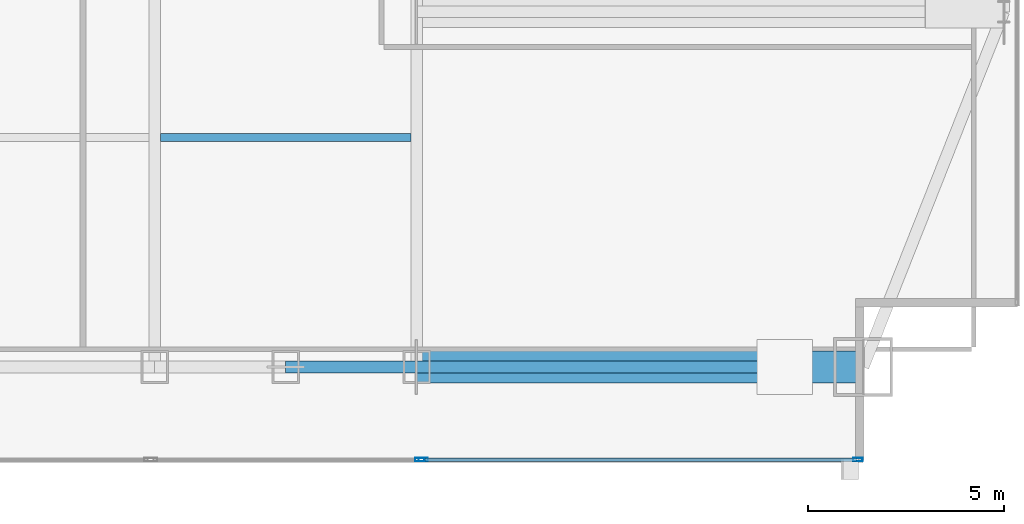
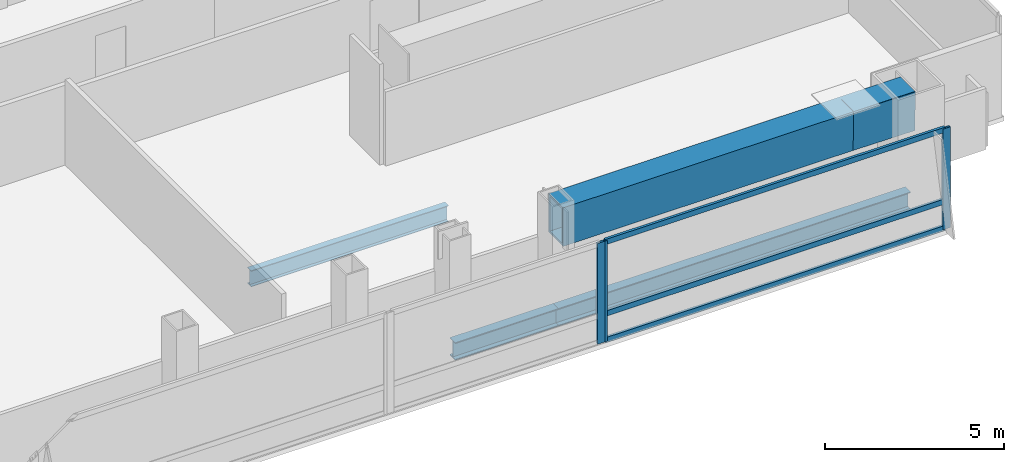
# One storey, part 14 of 30: 6 members, 5 beams, 2 elements without a shape of their own.
"""IFC4 building model written with IfcOpenShell, lengths in metres."""

from ifc_helpers import new_model, si_unit, direction, frame, origin, origin_2d, place, context, subcontext, project, spatial, hollow_rectangle, i_section, extrude, material, material_profile, profile_set, type_object, element, aggregate, save


model = new_model("IFC4")

# Units and contexts
model_context = context("Model", 3, precision=1e-05, world=origin(), true_north=direction((0.0, 1.0)))
body_context = subcontext(model_context, "Body", "Model", "MODEL_VIEW")
ifc_project = project(units=[si_unit("LENGTHUNIT", "METRE"), si_unit("AREAUNIT", "SQUARE_METRE"), si_unit("VOLUMEUNIT", "CUBIC_METRE"), si_unit("PLANEANGLEUNIT", "RADIAN"), si_unit("MASSUNIT", "GRAM", prefix="KILO")], contexts=[model_context])

# Site, building, storey
site_placement = place(None, origin())
site = spatial("IfcSite", under=ifc_project, at=site_placement, CompositionType="ELEMENT")
building_placement = place(site_placement, origin())
building = spatial("IfcBuilding", under=site, at=building_placement, Name="Khoronbel Lancet Exchange", CompositionType="ELEMENT")
storey_placement = place(building_placement, frame((0.0, 0.0, 132.60009765625)))
storey = spatial("IfcBuildingStorey", under=building, at=storey_placement, Name="L32", CompositionType="ELEMENT", Elevation=132.60009765625)

# Beams
ifc_material_1 = material(Name="Steel S355", Category="steel")
ifc_material_profile_1 = material_profile(ifc_material_1, i_section(OverallWidth=0.2099609375, OverallDepth=0.550048828125, WebThickness=0.010986328125, FlangeThickness=0.01708984375, at=origin_2d()), Name="IPE 550")
ifc_profile_set_1 = profile_set([ifc_material_profile_1], Name="Steel S355")
beam_type_1 = type_object("IfcBeamType", Name="BM-BJ2", PredefinedType="JOIST", material=ifc_profile_set_1)
beam_1_placement = place(storey_placement, frame((48.14990234375, 16.0, -0.43505859375), z_axis=(1.0, 0.0, 0.0), x_axis=(0.0, 1.0, 0.0)))
element("IfcBeam", 1, at=beam_1_placement, inside=storey, type_object=beam_type_1, Name="Level L32 secondary composite joist J05", PredefinedType="JOIST", context=body_context, shape_type="SweptSolid", body=[
    extrude(i_section(OverallWidth=0.2099609375, OverallDepth=0.550048828125, WebThickness=0.010986328125, FlangeThickness=0.01708984375, at=origin_2d()), origin(), (0.0, 0.0, 1.0), 6.375),
])
ifc_material_profile_2 = material_profile(ifc_material_1, i_section(OverallWidth=0.300048828125, OverallDepth=0.60009765625, WebThickness=0.015380859375, FlangeThickness=0.030029296875, at=origin_2d()), Name="HEB 600")
ifc_profile_set_2 = profile_set([ifc_material_profile_2], Name="Steel S355")
beam_type_2 = type_object("IfcBeamType", Name="BM-BSP2", PredefinedType="SPANDREL", material=ifc_profile_set_2)
beam_2_placement = place(storey_placement, frame((51.33740234375, 10.14990234375, -0.460205078125), z_axis=(1.0, 0.0, 0.0), x_axis=(0.0, 1.0, 0.0)))
element("IfcBeam", 2, at=beam_2_placement, inside=storey, type_object=beam_type_2, Name="Level L32 perimeter spandrel beam SP08", PredefinedType="SPANDREL", context=body_context, shape_type="SweptSolid", body=[
    extrude(i_section(OverallWidth=0.300048828125, OverallDepth=0.60009765625, WebThickness=0.015380859375, FlangeThickness=0.030029296875, at=origin_2d()), origin(), (0.0, 0.0, 1.0), 3.337646484375),
])
beam_3_placement = place(storey_placement, frame((54.675048828125, 10.14990234375, -0.460205078125), z_axis=(1.0, 0.0, 0.0), x_axis=(0.0, 1.0, 0.0)))
element("IfcBeam", 3, at=beam_3_placement, inside=storey, type_object=beam_type_2, Name="Level L32 perimeter spandrel beam SP09", PredefinedType="SPANDREL", context=body_context, shape_type="SweptSolid", body=[
    extrude(i_section(OverallWidth=0.300048828125, OverallDepth=0.60009765625, WebThickness=0.015380859375, FlangeThickness=0.030029296875, at=origin_2d()), origin(), (0.0, 0.0, 1.0), 11.375),
])
ifc_material_2 = material(Name="Steel S460", Category="steel")
ifc_material_profile_3 = material_profile(ifc_material_2, hollow_rectangle(XDim=0.820068359375, YDim=1.320068359375, WallThickness=0.070068359375, at=origin_2d()), Name="BOX 820x1320x70")
ifc_profile_set_3 = profile_set([ifc_material_profile_3], Name="Steel S460")
beam_type_3 = type_object("IfcBeamType", Name="BM-TG4", PredefinedType="USERDEFINED", material=ifc_profile_set_3)
beam_4_placement = place(storey_placement, frame((66.050048828125, 10.14990234375, 2.760009765625), z_axis=(-0.999951120325, 0.0, 0.009887212005), x_axis=(0.0, -1.0, 0.0)))
element("IfcBeam", 4, at=beam_4_placement, inside=storey, type_object=beam_type_3, Name="Setback transfer knee-brace girder L32-MC-SE", ObjectType="TRANSFER GIRDER", PredefinedType="USERDEFINED", context=body_context, shape_type="SweptSolid", body=[
    extrude(hollow_rectangle(XDim=0.820068359375, YDim=1.320068359375, WallThickness=0.070068359375, at=origin_2d()), origin(), (0.0, 0.0, 1.0), 2.0),
])
beam_5_placement = place(storey_placement, frame((54.675048828125, 10.14990234375, 2.77978515625), z_axis=(1.0, 0.0, 0.0), x_axis=(0.0, 1.0, 0.0)))
element("IfcBeam", 5, at=beam_5_placement, inside=storey, type_object=beam_type_3, Name="Corner mega-column setback transfer girder L32-SE", ObjectType="TRANSFER GIRDER", PredefinedType="USERDEFINED", context=body_context, shape_type="SweptSolid", body=[
    extrude(hollow_rectangle(XDim=0.820068359375, YDim=1.320068359375, WallThickness=0.070068359375, at=origin_2d()), origin(), (0.0, 0.0, 1.0), 11.375),
])

# Curtain wall, member
ifc_material_3 = material(Name="Low-E Solar Control Insulating Glass", Category="glass")
curtain_wall_type = type_object("IfcCurtainWallType", Name="CW-2", PredefinedType="NOTDEFINED", material=ifc_material_3)
curtain_wall_1_placement = place(storey_placement, origin())
curtain_wall_1 = element("IfcCurtainWall", 6, at=curtain_wall_1_placement, inside=storey, type_object=curtain_wall_type, Name="Unitised curtain wall CW-L32-SEB", PredefinedType="NOTDEFINED")
ifc_material_4 = material(Name="Bronze-Anodised Aluminium 6063-T6", Category="aluminium")
ifc_material_profile_4 = material_profile(ifc_material_4, hollow_rectangle(XDim=0.0849609375, YDim=0.239990234375, WallThickness=0.006103515625, at=origin_2d()), Name="ALU MULLION 85x240")
ifc_profile_set_4 = profile_set([ifc_material_profile_4], Name="Bronze-Anodised Aluminium 6063-T6")
member_type_1 = type_object("IfcMemberType", Name="MEM-CWM1", PredefinedType="MULLION", material=ifc_profile_set_4)
member_1_placement = place(storey_placement, frame((54.757568359375, 7.7900390625, 0.0), z_axis=(0.0, 0.0, 1.0), x_axis=(0.0, 1.0, 0.0)))
member_1 = element("IfcMember", 7, at=member_1_placement, type_object=member_type_1, Name="CW2 mullion 2", PredefinedType="MULLION", context=body_context, shape_type="SweptSolid", body=[
    extrude(hollow_rectangle(XDim=0.0849609375, YDim=0.239990234375, WallThickness=0.006103515625, at=origin_2d()), origin(), (0.0, 0.0, 1.0), 3.43994140625),
])
aggregate(curtain_wall_1, [member_1])

# Curtain wall, members
curtain_wall_2_placement = place(storey_placement, origin())
curtain_wall_2 = element("IfcCurtainWall", 8, at=curtain_wall_2_placement, inside=storey, type_object=curtain_wall_type, Name="Unitised curtain wall CW-L32-SEV", PredefinedType="NOTDEFINED")
member_2_placement = place(storey_placement, frame((54.842529296875, 7.7900390625, 0.0), z_axis=(0.0, 0.0, 1.0), x_axis=(0.0, 1.0, 0.0)))
member_2 = element("IfcMember", 9, at=member_2_placement, type_object=member_type_1, Name="CW2 mullion 1", PredefinedType="MULLION", context=body_context, shape_type="SweptSolid", body=[
    extrude(hollow_rectangle(XDim=0.0849609375, YDim=0.239990234375, WallThickness=0.006103515625, at=origin_2d()), origin(), (0.0, 0.0, 1.0), 3.43994140625),
])
member_3_placement = place(storey_placement, frame((65.91748046875, 7.7900390625, 0.0), z_axis=(0.0, 0.0, 1.0), x_axis=(0.0, 1.0, 0.0)))
member_3 = element("IfcMember", 10, at=member_3_placement, type_object=member_type_1, Name="CW2 mullion 2", PredefinedType="MULLION", context=body_context, shape_type="SweptSolid", body=[
    extrude(hollow_rectangle(XDim=0.0849609375, YDim=0.239990234375, WallThickness=0.006103515625, at=origin_2d()), origin(), (0.0, 0.0, 1.0), 3.43994140625),
])
ifc_material_profile_5 = material_profile(ifc_material_4, hollow_rectangle(XDim=0.0849609375, YDim=0.179931640625, WallThickness=0.0048828125, at=origin_2d()), Name="ALU TRANSOM 85x180")
ifc_profile_set_5 = profile_set([ifc_material_profile_5], Name="Bronze-Anodised Aluminium 6063-T6")
member_type_2 = type_object("IfcMemberType", Name="MEM-CWT1", PredefinedType="USERDEFINED", material=ifc_profile_set_5)
member_4_placement = place(storey_placement, frame((54.885009765625, 7.7900390625, 0.04248046875), z_axis=(1.0, 0.0, 0.0), x_axis=(0.0, 1.0, 0.0)))
member_4 = element("IfcMember", 11, at=member_4_placement, type_object=member_type_2, Name="CW2 transom 1.1", ObjectType="TRANSOM", PredefinedType="USERDEFINED", context=body_context, shape_type="SweptSolid", body=[
    extrude(hollow_rectangle(XDim=0.0849609375, YDim=0.179931640625, WallThickness=0.0048828125, at=origin_2d()), origin(), (0.0, 0.0, 1.0), 10.989990234375),
])
member_5_placement = place(storey_placement, frame((54.885009765625, 7.7900390625, 0.949951171875), z_axis=(1.0, 0.0, 0.0), x_axis=(0.0, 1.0, 0.0)))
member_5 = element("IfcMember", 12, at=member_5_placement, type_object=member_type_2, Name="CW2 transom 1.2", ObjectType="TRANSOM", PredefinedType="USERDEFINED", context=body_context, shape_type="SweptSolid", body=[
    extrude(hollow_rectangle(XDim=0.0849609375, YDim=0.179931640625, WallThickness=0.0048828125, at=origin_2d()), origin(), (0.0, 0.0, 1.0), 10.989990234375),
])
member_6_placement = place(storey_placement, frame((54.885009765625, 7.7900390625, 3.3974609375), z_axis=(1.0, 0.0, 0.0), x_axis=(0.0, 1.0, 0.0)))
member_6 = element("IfcMember", 13, at=member_6_placement, type_object=member_type_2, Name="CW2 transom 1.3", ObjectType="TRANSOM", PredefinedType="USERDEFINED", context=body_context, shape_type="SweptSolid", body=[
    extrude(hollow_rectangle(XDim=0.0849609375, YDim=0.179931640625, WallThickness=0.0048828125, at=origin_2d()), origin(), (0.0, 0.0, 1.0), 10.989990234375),
])
aggregate(curtain_wall_2, [member_2, member_3, member_4, member_5, member_6])

save(model, "model.ifc")
